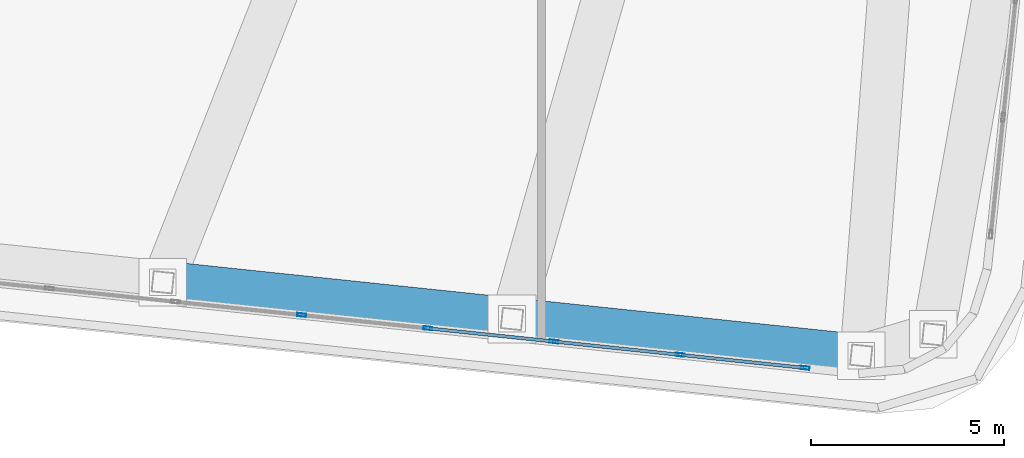
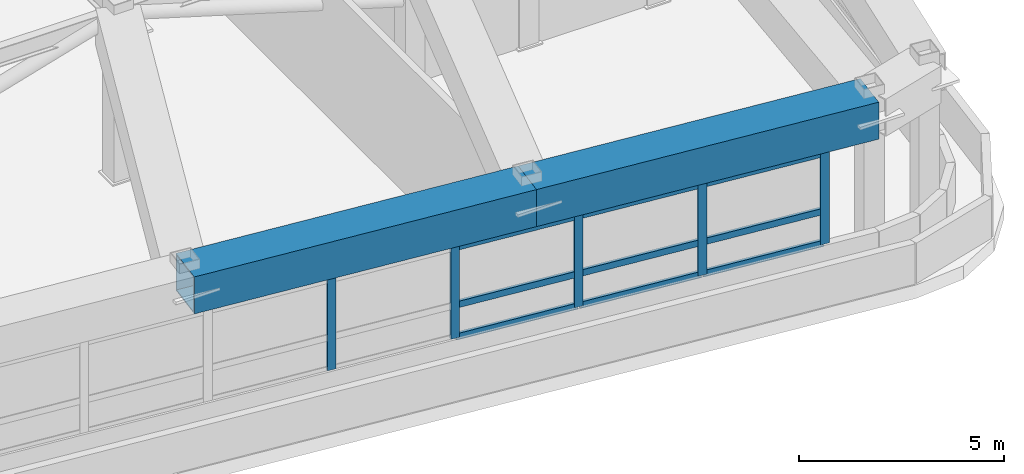
# One storey, part 7 of 22: 14 members, 2 beams, 1 element without a shape of its own.
"""IFC4 building model written with IfcOpenShell, lengths in metres."""

from ifc_helpers import new_model, si_unit, direction, frame, origin, origin_2d, place, context, subcontext, project, spatial, hollow_rectangle, extrude, material, layer, layer_set, material_profile, profile_set, type_object, element, aggregate, save


model = new_model("IFC4")

# Units and contexts
model_context = context("Model", 3, precision=1e-05, world=origin(), true_north=direction((0.0, 1.0)))
body_context = subcontext(model_context, "Body", "Model", "MODEL_VIEW")
ifc_project = project(units=[si_unit("LENGTHUNIT", "METRE"), si_unit("AREAUNIT", "SQUARE_METRE"), si_unit("VOLUMEUNIT", "CUBIC_METRE"), si_unit("PLANEANGLEUNIT", "RADIAN"), si_unit("MASSUNIT", "GRAM", prefix="KILO")], contexts=[model_context])

# Site, building, storey
site_placement = place(None, origin())
site = spatial("IfcSite", under=ifc_project, at=site_placement, CompositionType="ELEMENT")
building_placement = place(site_placement, origin())
building = spatial("IfcBuilding", under=site, at=building_placement, Name="Voryun Gate Residences", CompositionType="ELEMENT")
storey_placement = place(building_placement, frame((0.0, 0.0, 310.699951171875)))
storey = spatial("IfcBuildingStorey", under=building, at=storey_placement, Name="L77", CompositionType="ELEMENT", Elevation=310.699951171875)

# Beams
ifc_material_1 = material(Name="Steel SM420", Category="steel")
ifc_material_profile_1 = material_profile(ifc_material_1, hollow_rectangle(XDim=1.10009765625, YDim=1.10009765625, WallThickness=0.035888671875, at=origin_2d()), Name="BOX-1100x1100x36")
ifc_profile_set_1 = profile_set([ifc_material_profile_1], Name="Steel SM420")
beam_type = type_object("IfcBeamType", Name="BM_ARCH_RIB", PredefinedType="USERDEFINED", material=ifc_profile_set_1)
for number, where, z_axis, x_axis, name in (
    (1, (0.121337890625, -17.731689453125, 4.47509765625), (0.994523919568, -0.104509202498, 0.0), (0.104509202498, 0.994523919568, 0.0), "BM-L77-SPAND-04"),
    (2, (9.19140625, -18.684814453125, 4.47509765625), (0.994521136856, -0.104535679778, 0.0), (0.104535679778, 0.994521136856, 0.0), "BM-L77-SPAND-05"),
):
    element("IfcBeam", number, at=place(storey_placement, frame(where, z_axis=z_axis, x_axis=x_axis)), inside=storey, type_object=beam_type, Name=name, ObjectType="GIRDER", PredefinedType="USERDEFINED", context=body_context, shape_type="SweptSolid", body=[
        extrude(hollow_rectangle(XDim=1.10009765625, YDim=1.10009765625, WallThickness=0.035888671875, at=origin_2d()), origin(), (0.0, 0.0, 1.0), 9.1201171875),
    ])

# Curtain wall, members
ifc_material_2 = material(Name="Anodised aluminium", Category="aluminium")
ifc_layer = layer(ifc_material_2, 0.22998046875, Name="CW_SYS_LANTERN_DARK_GLASS")
ifc_layer_set = layer_set([ifc_layer], Name="Anodised aluminium")
curtain_wall_type = type_object("IfcCurtainWallType", Name="CW_SYS_LANTERN_DARK_GLASS", PredefinedType="NOTDEFINED", material=ifc_layer_set)
curtain_wall_placement = place(storey_placement, origin())
curtain_wall = element("IfcCurtainWall", 3, at=curtain_wall_placement, inside=storey, type_object=curtain_wall_type, Name="Curtain wall CW6-L77-01", PredefinedType="NOTDEFINED")
ifc_material_3 = material(Name="Anodised aluminium", Category="aluminium")
ifc_material_profile_2 = material_profile(ifc_material_3, hollow_rectangle(XDim=0.0849609375, YDim=0.22998046875, WallThickness=0.006103515625, at=origin_2d()), Name="ALU-MULL-230x85x6")
ifc_profile_set_2 = profile_set([ifc_material_profile_2], Name="Anodised aluminium")
member_type_1 = type_object("IfcMemberType", Name="CW_MULL_LANT", PredefinedType="MULLION", material=ifc_profile_set_2)
member_1_placement = place(storey_placement, frame((16.8056640625, -19.957763671875, 1.18994140625), z_axis=(0.0, 0.0, 1.0), x_axis=(-0.10452775858, -0.994521969434, 0.0)))
member_1 = element("IfcMember", 4, at=member_1_placement, type_object=member_type_1, Name="CW6 mullion 1", PredefinedType="MULLION", context=body_context, shape_type="SweptSolid", body=[
    extrude(hollow_rectangle(XDim=0.0849609375, YDim=0.22998046875, WallThickness=0.006103515625, at=origin_2d()), origin(), (0.0, 0.0, 1.0), 2.72509765625),
])
member_2_placement = place(storey_placement, frame((13.558837890625, -19.616455078125, 1.18994140625), z_axis=(0.0, 0.0, 1.0), x_axis=(-0.10452775858, -0.994521969434, 0.0)))
member_2 = element("IfcMember", 5, at=member_2_placement, type_object=member_type_1, Name="CW6 mullion 2", PredefinedType="MULLION", context=body_context, shape_type="SweptSolid", body=[
    extrude(hollow_rectangle(XDim=0.0849609375, YDim=0.22998046875, WallThickness=0.006103515625, at=origin_2d()), origin(), (0.0, 0.0, 1.0), 2.72509765625),
])
member_3_placement = place(storey_placement, frame((10.2822265625, -19.272216796875, 1.18994140625), z_axis=(0.0, 0.0, 1.0), x_axis=(-0.10452775858, -0.994521969434, 0.0)))
member_3 = element("IfcMember", 6, at=member_3_placement, type_object=member_type_1, Name="CW6 mullion 3", PredefinedType="MULLION", context=body_context, shape_type="SweptSolid", body=[
    extrude(hollow_rectangle(XDim=0.0849609375, YDim=0.22998046875, WallThickness=0.006103515625, at=origin_2d()), origin(), (0.0, 0.0, 1.0), 2.72509765625),
])
member_4_placement = place(storey_placement, frame((7.005615234375, -18.927734375, 1.18994140625), z_axis=(0.0, 0.0, 1.0), x_axis=(-0.10452775858, -0.994521969434, 0.0)))
member_4 = element("IfcMember", 7, at=member_4_placement, type_object=member_type_1, Name="CW6 mullion 4", PredefinedType="MULLION", context=body_context, shape_type="SweptSolid", body=[
    extrude(hollow_rectangle(XDim=0.0849609375, YDim=0.22998046875, WallThickness=0.006103515625, at=origin_2d()), origin(), (0.0, 0.0, 1.0), 2.72509765625),
])
member_5_placement = place(storey_placement, frame((3.72900390625, -18.583251953125, 1.18994140625), z_axis=(0.0, 0.0, 1.0), x_axis=(-0.10452775858, -0.994521969434, 0.0)))
member_5 = element("IfcMember", 8, at=member_5_placement, type_object=member_type_1, Name="CW6 mullion 5", PredefinedType="MULLION", context=body_context, shape_type="SweptSolid", body=[
    extrude(hollow_rectangle(XDim=0.0849609375, YDim=0.22998046875, WallThickness=0.006103515625, at=origin_2d()), origin(), (0.0, 0.0, 1.0), 2.72509765625),
])
ifc_material_4 = material(Name="Anodised aluminium", Category="aluminium")
ifc_material_profile_3 = material_profile(ifc_material_4, hollow_rectangle(XDim=0.0849609375, YDim=0.18994140625, WallThickness=0.006103515625, at=origin_2d()), Name="ALU-TRAN-190x85x6")
ifc_profile_set_3 = profile_set([ifc_material_profile_3], Name="Anodised aluminium")
member_type_2 = type_object("IfcMemberType", Name="CW_TRAN_LANT", PredefinedType="USERDEFINED", material=ifc_profile_set_3)
member_6_placement = place(storey_placement, frame((16.775634765625, -19.95458984375, 1.219970703125), z_axis=(-0.994522138405, 0.104526150903, 0.0), x_axis=(-0.104526150903, -0.994522138405, 0.0)))
member_6 = element("IfcMember", 9, at=member_6_placement, type_object=member_type_2, Name="CW6 transom 1.1", ObjectType="TRANSOM", PredefinedType="USERDEFINED", context=body_context, shape_type="SweptSolid", body=[
    extrude(hollow_rectangle(XDim=0.0849609375, YDim=0.18994140625, WallThickness=0.006103515625, at=origin_2d()), origin(), (0.0, 0.0, 1.0), 3.20458984375),
])
member_7_placement = place(storey_placement, frame((16.775634765625, -19.95458984375, 2.171142578125), z_axis=(-0.994522138405, 0.104526150903, 0.0), x_axis=(-0.104526150903, -0.994522138405, 0.0)))
member_7 = element("IfcMember", 10, at=member_7_placement, type_object=member_type_2, Name="CW6 transom 1.2", ObjectType="TRANSOM", PredefinedType="USERDEFINED", context=body_context, shape_type="SweptSolid", body=[
    extrude(hollow_rectangle(XDim=0.0849609375, YDim=0.18994140625, WallThickness=0.006103515625, at=origin_2d()), origin(), (0.0, 0.0, 1.0), 3.20458984375),
])
member_8_placement = place(storey_placement, frame((16.775634765625, -19.95458984375, 3.885009765625), z_axis=(-0.994522138405, 0.104526150903, 0.0), x_axis=(-0.104526150903, -0.994522138405, 0.0)))
member_8 = element("IfcMember", 11, at=member_8_placement, type_object=member_type_2, Name="CW6 transom 1.3", ObjectType="TRANSOM", PredefinedType="USERDEFINED", context=body_context, shape_type="SweptSolid", body=[
    extrude(hollow_rectangle(XDim=0.0849609375, YDim=0.18994140625, WallThickness=0.006103515625, at=origin_2d()), origin(), (0.0, 0.0, 1.0), 3.20458984375),
])
member_9_placement = place(storey_placement, frame((13.529052734375, -19.61328125, 1.219970703125), z_axis=(-0.994521569819, 0.104531560613, 0.0), x_axis=(-0.104531560613, -0.994521569819, 0.0)))
member_9 = element("IfcMember", 12, at=member_9_placement, type_object=member_type_2, Name="CW6 transom 2.1", ObjectType="TRANSOM", PredefinedType="USERDEFINED", context=body_context, shape_type="SweptSolid", body=[
    extrude(hollow_rectangle(XDim=0.0849609375, YDim=0.18994140625, WallThickness=0.006103515625, at=origin_2d()), origin(), (0.0, 0.0, 1.0), 3.23486328125),
])
member_10_placement = place(storey_placement, frame((13.529052734375, -19.61328125, 2.171142578125), z_axis=(-0.994521569819, 0.104531560613, 0.0), x_axis=(-0.104531560613, -0.994521569819, 0.0)))
member_10 = element("IfcMember", 13, at=member_10_placement, type_object=member_type_2, Name="CW6 transom 2.2", ObjectType="TRANSOM", PredefinedType="USERDEFINED", context=body_context, shape_type="SweptSolid", body=[
    extrude(hollow_rectangle(XDim=0.0849609375, YDim=0.18994140625, WallThickness=0.006103515625, at=origin_2d()), origin(), (0.0, 0.0, 1.0), 3.23486328125),
])
member_11_placement = place(storey_placement, frame((13.529052734375, -19.61328125, 3.885009765625), z_axis=(-0.994521569819, 0.104531560613, 0.0), x_axis=(-0.104531560613, -0.994521569819, 0.0)))
member_11 = element("IfcMember", 14, at=member_11_placement, type_object=member_type_2, Name="CW6 transom 2.3", ObjectType="TRANSOM", PredefinedType="USERDEFINED", context=body_context, shape_type="SweptSolid", body=[
    extrude(hollow_rectangle(XDim=0.0849609375, YDim=0.18994140625, WallThickness=0.006103515625, at=origin_2d()), origin(), (0.0, 0.0, 1.0), 3.23486328125),
])
member_12_placement = place(storey_placement, frame((10.252197265625, -19.26904296875, 1.219970703125), z_axis=(-0.994520745033, 0.104539407398, 0.0), x_axis=(-0.104539407398, -0.994520745033, 0.0)))
member_12 = element("IfcMember", 15, at=member_12_placement, type_object=member_type_2, Name="CW6 transom 3.1", ObjectType="TRANSOM", PredefinedType="USERDEFINED", context=body_context, shape_type="SweptSolid", body=[
    extrude(hollow_rectangle(XDim=0.0849609375, YDim=0.18994140625, WallThickness=0.006103515625, at=origin_2d()), origin(), (0.0, 0.0, 1.0), 3.234619140625),
])
member_13_placement = place(storey_placement, frame((10.252197265625, -19.26904296875, 2.171142578125), z_axis=(-0.994520745033, 0.104539407398, 0.0), x_axis=(-0.104539407398, -0.994520745033, 0.0)))
member_13 = element("IfcMember", 16, at=member_13_placement, type_object=member_type_2, Name="CW6 transom 3.2", ObjectType="TRANSOM", PredefinedType="USERDEFINED", context=body_context, shape_type="SweptSolid", body=[
    extrude(hollow_rectangle(XDim=0.0849609375, YDim=0.18994140625, WallThickness=0.006103515625, at=origin_2d()), origin(), (0.0, 0.0, 1.0), 3.234619140625),
])
member_14_placement = place(storey_placement, frame((10.252197265625, -19.26904296875, 3.885009765625), z_axis=(-0.994520745033, 0.104539407398, 0.0), x_axis=(-0.104539407398, -0.994520745033, 0.0)))
member_14 = element("IfcMember", 17, at=member_14_placement, type_object=member_type_2, Name="CW6 transom 3.3", ObjectType="TRANSOM", PredefinedType="USERDEFINED", context=body_context, shape_type="SweptSolid", body=[
    extrude(hollow_rectangle(XDim=0.0849609375, YDim=0.18994140625, WallThickness=0.006103515625, at=origin_2d()), origin(), (0.0, 0.0, 1.0), 3.234619140625),
])
aggregate(curtain_wall, [member_1, member_2, member_3, member_4, member_5, member_6, member_7, member_8, member_9, member_10, member_11, member_12, member_13, member_14])

save(model, "model.ifc")
